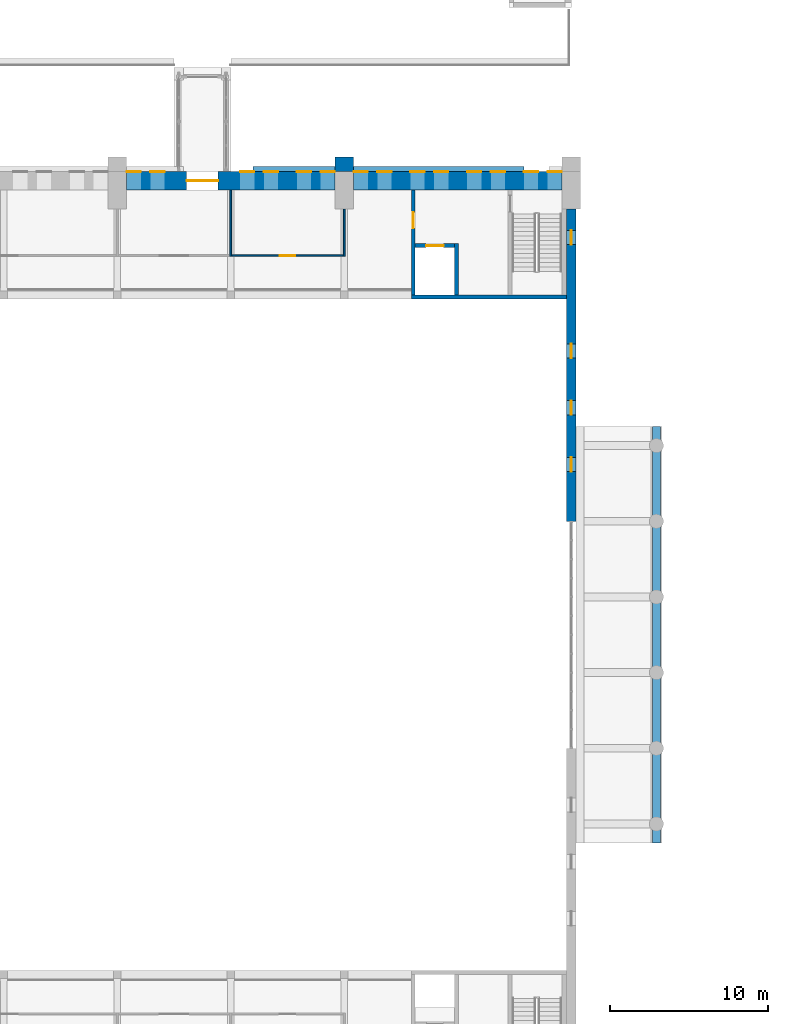
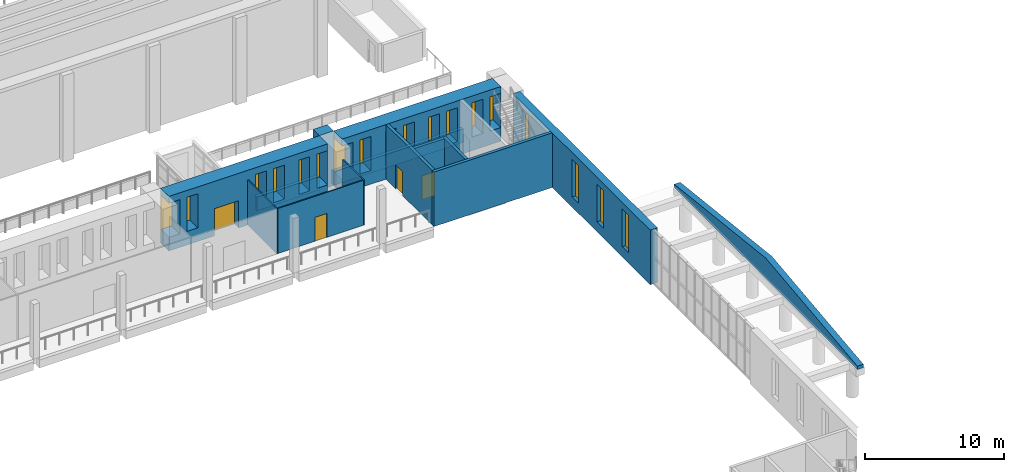
# One storey, part 94 of 131: 18 windows, 14 walls, 4 doors, 22 openings.
"""IFC4 building model written with IfcOpenShell, lengths in metres."""

from ifc_helpers import new_model, si_unit, direction, frame, frame_2d, origin, place, context, subcontext, project, spatial, polyline, rectangle, outline, extrude, material, layer, layer_set, type_object, element, fill, save


model = new_model("IFC4")

# Units and contexts
model_context = context("Model", 3, precision=1e-05, world=origin(), true_north=direction((0.0, 1.0)))
body_context = subcontext(model_context, "Body", "Model", "MODEL_VIEW")
ifc_project = project(units=[si_unit("LENGTHUNIT", "METRE"), si_unit("AREAUNIT", "SQUARE_METRE"), si_unit("VOLUMEUNIT", "CUBIC_METRE"), si_unit("PLANEANGLEUNIT", "RADIAN"), si_unit("MASSUNIT", "GRAM", prefix="KILO")], contexts=[model_context])

# Site, building, storey
site_placement = place(None, origin())
site = spatial("IfcSite", under=ifc_project, at=site_placement, CompositionType="ELEMENT")
building_placement = place(site_placement, origin())
building = spatial("IfcBuilding", under=site, at=building_placement, Name="Alderwick Market Hall", CompositionType="ELEMENT")
storey_placement = place(building_placement, frame((0.0, 0.0, 4.800048828125)))
storey = spatial("IfcBuildingStorey", under=building, at=storey_placement, Name="L00", CompositionType="ELEMENT", Elevation=4.800048828125)

# Walls
ifc_material_1 = material(Name="Cast stone 5000 psi (f'c 35 MPa), ASTM C1364", Category="masonry")
ifc_layer_1 = layer(ifc_material_1, 0.300048828125)
ifc_layer_set_1 = layer_set([ifc_layer_1], Name="Cast stone 5000 psi (f'c 35 MPa), ASTM C1364")
wall_type_1 = type_object("IfcWallType", Name="H Base course 300", PredefinedType="SOLIDWALL", material=ifc_layer_set_1)
wall_1_placement = place(storey_placement, frame((131.0, 108.75, 0.0), z_axis=(0.0, 0.0, 1.0), x_axis=(1.0, 0.0, 0.0)))
element("IfcWall", 1, at=wall_1_placement, inside=storey, type_object=wall_type_1, Name="Base course N6", PredefinedType="SOLIDWALL", context=body_context, shape_type="SweptSolid", body=[
    extrude(rectangle(XDim=5.199951171875, YDim=0.300048828125, at=frame_2d((2.60009765625, 0.0))), origin(), (0.0, 0.0, 1.0), 1.199951171875),
])
wall_2_placement = place(storey_placement, frame((137.39990234375, 108.75, 0.0), z_axis=(0.0, 0.0, 1.0), x_axis=(1.0, 0.0, 0.0)))
element("IfcWall", 2, at=wall_2_placement, inside=storey, type_object=wall_type_1, Name="Base course N7", PredefinedType="SOLIDWALL", context=body_context, shape_type="SweptSolid", body=[
    extrude(rectangle(XDim=10.800048828125, YDim=0.300048828125, at=frame_2d((5.39990234375, 0.0))), origin(), (0.0, 0.0, 1.0), 1.199951171875),
])
ifc_material_2 = material(Name="Face brick masonry, ASTM C216 grade SW (f'm 17 MPa)", Category="masonry")
ifc_layer_2 = layer(ifc_material_2, 0.89990234375)
ifc_layer_set_2 = layer_set([ifc_layer_2], Name="Face brick masonry, ASTM C216 grade SW (f'm 17 MPa)")
wall_type_2 = type_object("IfcWallType", Name="H Buttress pier 900", PredefinedType="SOLIDWALL", material=ifc_layer_set_2)
wall_3_placement = place(storey_placement, frame((136.199951171875, 109.050048828125, 0.0), z_axis=(0.0, 0.0, 1.0), x_axis=(1.0, 0.0, 0.0)))
element("IfcWall", 3, at=wall_3_placement, inside=storey, type_object=wall_type_2, Name="Buttress pier N7", PredefinedType="SOLIDWALL", context=body_context, shape_type="SweptSolid", body=[
    extrude(rectangle(XDim=1.199951171875, YDim=0.89990234375, at=frame_2d((0.60009765625, 0.0))), origin(), (0.0, 0.0, 1.0), 4.800048828125),
])
ifc_material_3 = material(Name="Concrete 5000 psi (f'c 35 MPa)", Category="concrete")
ifc_layer_3 = layer(ifc_material_3, 0.25)
ifc_layer_set_3 = layer_set([ifc_layer_3], Name="Concrete 5000 psi (f'c 35 MPa)")
wall_type_3 = type_object("IfcWallType", Name="H Core wall 250", PredefinedType="SOLIDWALL", material=ifc_layer_set_3)
wall_4_placement = place(storey_placement, frame((141.050048828125, 100.635009765625, 0.0), z_axis=(0.0, 0.0, 1.0), x_axis=(1.0, 0.0, 0.0)))
element("IfcWall", 4, at=wall_4_placement, inside=storey, type_object=wall_type_3, Name="Core wall H-NE", PredefinedType="SOLIDWALL", context=body_context, shape_type="SweptSolid", body=[
    extrude(rectangle(XDim=9.849853515625, YDim=0.25, at=frame_2d((4.9248046875, 0.0))), origin(), (0.0, 0.0, 1.0), 4.800048828125),
])

# Wall, opening, door
wall_5_placement = place(storey_placement, frame((141.175048828125, 100.760009765625, 0.0), z_axis=(0.0, 0.0, 1.0), x_axis=(0.0, 1.0, 0.0)))
wall_5 = element("IfcWall", 5, at=wall_5_placement, inside=storey, type_object=wall_type_3, Name="Core wall H-NE", PredefinedType="SOLIDWALL", context=body_context, shape_type="SweptSolid", body=[
    extrude(rectangle(XDim=6.639892578125, YDim=0.25, at=frame_2d((3.31982421875, 0.0))), origin(), (0.0, 0.0, 1.0), 4.800048828125),
])
opening_1_placement = place(wall_5_placement, frame((4.239990234375, 0.0, 0.0)))
opening_1 = element("IfcOpeningElement", 6, at=opening_1_placement, cuts=wall_5, Name="Opening H-D051", PredefinedType="OPENING", context=body_context, shape_type="SweptSolid", body=[
    extrude(rectangle(XDim=1.0, YDim=2.10009765625, at=frame_2d((0.5, 1.050048828125))), frame((0.0, 0.135009765625, 0.0), z_axis=(0.0, -1.0, 0.0), x_axis=(1.0, 0.0, 0.0)), (0.0, 0.0, 1.0), 0.27001953125),
])
ifc_material_4 = material(Name="Steel, fire-rated", Category="steel")
door_type_1 = type_object("IfcDoorType", Name="H Stair door FD90 1000x2100", OperationType="SINGLE_SWING_LEFT", PredefinedType="DOOR", material=ifc_material_4)
door_1_placement = place(opening_1_placement, origin())
door_1 = element("IfcDoor", 7, at=door_1_placement, inside=storey, type_object=door_type_1, Name="Door H-D051", OperationType="SINGLE_SWING_LEFT", OverallHeight=2.10009765625, OverallWidth=1.0, PredefinedType="DOOR", context=body_context, shape_type="SweptSolid", body=[
    extrude(rectangle(XDim=1.0, YDim=2.10009765625, at=frame_2d((0.5, 1.050048828125))), frame((0.0, 0.02490234375, 0.0), z_axis=(0.0, -1.0, 0.0), x_axis=(1.0, 0.0, 0.0)), (0.0, 0.0, 1.0), 0.050048828125),
])
fill(opening_1, door_1)

# Wall
wall_6_placement = place(storey_placement, frame((143.925048828125, 100.760009765625, 0.0), z_axis=(0.0, 0.0, 1.0), x_axis=(0.0, 1.0, 0.0)))
element("IfcWall", 8, at=wall_6_placement, inside=storey, type_object=wall_type_3, Name="Core wall H-NE", PredefinedType="SOLIDWALL", context=body_context, shape_type="SweptSolid", body=[
    extrude(rectangle(XDim=3.25, YDim=0.25, at=frame_2d((1.625, 0.0))), origin(), (0.0, 0.0, 1.0), 4.800048828125),
])

# Wall, opening, door
wall_7_placement = place(storey_placement, frame((141.300048828125, 103.885009765625, 0.0), z_axis=(0.0, 0.0, 1.0), x_axis=(1.0, 0.0, 0.0)))
wall_7 = element("IfcWall", 9, at=wall_7_placement, inside=storey, type_object=wall_type_3, Name="Core wall H-NE", PredefinedType="SOLIDWALL", context=body_context, shape_type="SweptSolid", body=[
    extrude(rectangle(XDim=2.5, YDim=0.25, at=frame_2d((1.25, 0.0))), origin(), (0.0, 0.0, 1.0), 4.800048828125),
])
opening_2_placement = place(wall_7_placement, frame((0.699951171875, 0.0, 0.0)))
opening_2 = element("IfcOpeningElement", 10, at=opening_2_placement, cuts=wall_7, Name="Opening H-LD05", PredefinedType="OPENING", context=body_context, shape_type="SweptSolid", body=[
    extrude(rectangle(XDim=1.10009765625, YDim=2.10009765625, at=frame_2d((0.550048828125, 1.050048828125))), frame((0.0, 0.135009765625, 0.0), z_axis=(0.0, -1.0, 0.0), x_axis=(1.0, 0.0, 0.0)), (0.0, 0.0, 1.0), 0.27001953125),
])
ifc_material_5 = material(Name="Stainless steel", Category="steel")
door_type_2 = type_object("IfcDoorType", Name="H Lift landing door 1100x2100", OperationType="SLIDING_TO_LEFT", PredefinedType="DOOR", material=ifc_material_5)
door_2_placement = place(opening_2_placement, origin())
door_2 = element("IfcDoor", 11, at=door_2_placement, inside=storey, type_object=door_type_2, Name="Landing door H-LD05", OperationType="SLIDING_TO_LEFT", OverallHeight=2.10009765625, OverallWidth=1.10009765625, PredefinedType="DOOR", context=body_context, shape_type="SweptSolid", body=[
    extrude(rectangle(XDim=1.10009765625, YDim=2.10009765625, at=frame_2d((0.550048828125, 1.050048828125))), frame((0.0, 0.02490234375, 0.0), z_axis=(0.0, -1.0, 0.0), x_axis=(1.0, 0.0, 0.0)), (0.0, 0.0, 1.0), 0.050048828125),
])
fill(opening_2, door_2)

# Wall, openings, door, windows
ifc_layer_4 = layer(ifc_material_3, 1.199951171875)
ifc_layer_set_4 = layer_set([ifc_layer_4], Name="Concrete 5000 psi (f'c 35 MPa)")
wall_type_4 = type_object("IfcWallType", Name="H Long wall 1200", PredefinedType="SOLIDWALL", material=ifc_layer_set_4)
wall_8_placement = place(storey_placement, frame((123.0, 108.0, 0.0), z_axis=(0.0, 0.0, 1.0), x_axis=(1.0, 0.0, 0.0)))
wall_8 = element("IfcWall", 12, at=wall_8_placement, inside=storey, type_object=wall_type_4, Name="Long wall N L00 6", PredefinedType="SOLIDWALL", context=body_context, shape_type="SweptSolid", body=[
    extrude(rectangle(XDim=13.199951171875, YDim=1.199951171875, at=frame_2d((6.60009765625, 0.0))), origin(), (0.0, 0.0, 1.0), 4.800048828125),
])
opening_3_placement = place(wall_8_placement, frame((3.800048828125, 0.0, 0.0)))
opening_3 = element("IfcOpeningElement", 13, at=opening_3_placement, cuts=wall_8, Name="Opening H-D013", PredefinedType="OPENING", context=body_context, shape_type="SweptSolid", body=[
    extrude(rectangle(XDim=2.0, YDim=2.39990234375, at=frame_2d((1.0, 1.199951171875))), frame((0.0, 0.60986328125, 0.0), z_axis=(0.0, -1.0, 0.0), x_axis=(1.0, 0.0, 0.0)), (0.0, 0.0, 1.0), 1.219970703125),
])
opening_4_placement = place(wall_8_placement, frame((0.0, 0.0, 1.199951171875)))
opening_4 = element("IfcOpeningElement", 14, at=opening_4_placement, cuts=wall_8, Name="Opening H-W147", PredefinedType="OPENING", context=body_context, shape_type="SweptSolid", body=[
    extrude(rectangle(XDim=0.89990234375, YDim=3.0, at=frame_2d((0.449951171875, 1.5))), frame((0.0, 0.60986328125, 0.0), z_axis=(0.0, -1.0, 0.0), x_axis=(1.0, 0.0, 0.0)), (0.0, 0.0, 1.0), 1.219970703125),
])
opening_5_placement = place(wall_8_placement, frame((1.5, 0.0, 1.199951171875)))
opening_5 = element("IfcOpeningElement", 15, at=opening_5_placement, cuts=wall_8, Name="Opening H-W148", PredefinedType="OPENING", context=body_context, shape_type="SweptSolid", body=[
    extrude(rectangle(XDim=0.89990234375, YDim=3.0, at=frame_2d((0.449951171875, 1.5))), frame((0.0, 0.60986328125, 0.0), z_axis=(0.0, -1.0, 0.0), x_axis=(1.0, 0.0, 0.0)), (0.0, 0.0, 1.0), 1.219970703125),
])
opening_6_placement = place(wall_8_placement, frame((7.199951171875, 0.0, 1.199951171875)))
opening_6 = element("IfcOpeningElement", 16, at=opening_6_placement, cuts=wall_8, Name="Opening H-W149", PredefinedType="OPENING", context=body_context, shape_type="SweptSolid", body=[
    extrude(rectangle(XDim=0.89990234375, YDim=3.0, at=frame_2d((0.449951171875, 1.5))), frame((0.0, 0.60986328125, 0.0), z_axis=(0.0, -1.0, 0.0), x_axis=(1.0, 0.0, 0.0)), (0.0, 0.0, 1.0), 1.219970703125),
])
opening_7_placement = place(wall_8_placement, frame((8.699951171875, 0.0, 1.199951171875)))
opening_7 = element("IfcOpeningElement", 17, at=opening_7_placement, cuts=wall_8, Name="Opening H-W150", PredefinedType="OPENING", context=body_context, shape_type="SweptSolid", body=[
    extrude(rectangle(XDim=0.89990234375, YDim=3.0, at=frame_2d((0.449951171875, 1.5))), frame((0.0, 0.60986328125, 0.0), z_axis=(0.0, -1.0, 0.0), x_axis=(1.0, 0.0, 0.0)), (0.0, 0.0, 1.0), 1.219970703125),
])
opening_8_placement = place(wall_8_placement, frame((10.800048828125, 0.0, 1.199951171875)))
opening_8 = element("IfcOpeningElement", 18, at=opening_8_placement, cuts=wall_8, Name="Opening H-W151", PredefinedType="OPENING", context=body_context, shape_type="SweptSolid", body=[
    extrude(rectangle(XDim=0.89990234375, YDim=3.0, at=frame_2d((0.449951171875, 1.5))), frame((0.0, 0.60986328125, 0.0), z_axis=(0.0, -1.0, 0.0), x_axis=(1.0, 0.0, 0.0)), (0.0, 0.0, 1.0), 1.219970703125),
])
opening_9_placement = place(wall_8_placement, frame((12.300048828125, 0.0, 1.199951171875)))
opening_9 = element("IfcOpeningElement", 19, at=opening_9_placement, cuts=wall_8, Name="Opening H-W152", PredefinedType="OPENING", context=body_context, shape_type="SweptSolid", body=[
    extrude(rectangle(XDim=0.89990234375, YDim=3.0, at=frame_2d((0.449951171875, 1.5))), frame((0.0, 0.60986328125, 0.0), z_axis=(0.0, -1.0, 0.0), x_axis=(1.0, 0.0, 0.0)), (0.0, 0.0, 1.0), 1.219970703125),
])
ifc_material_6 = material(Name="Bronze-finished aluminium and glass", Category="aluminium")
door_type_3 = type_object("IfcDoorType", Name="H Passage door 2000x2400", OperationType="DOUBLE_DOOR_SINGLE_SWING", PredefinedType="DOOR", material=ifc_material_6)
door_3_placement = place(opening_3_placement, origin())
door_3 = element("IfcDoor", 20, at=door_3_placement, inside=storey, type_object=door_type_3, Name="Door H-D013", OperationType="DOUBLE_DOOR_SINGLE_SWING", OverallHeight=2.39990234375, OverallWidth=2.0, PredefinedType="DOOR", context=body_context, shape_type="SweptSolid", body=[
    extrude(rectangle(XDim=2.0, YDim=2.39990234375, at=frame_2d((1.0, 1.199951171875))), frame((0.0, 0.02490234375, 0.0), z_axis=(0.0, -1.0, 0.0), x_axis=(1.0, 0.0, 0.0)), (0.0, 0.0, 1.0), 0.050048828125),
])
fill(opening_3, door_3)
ifc_material_7 = material(Name="Aluminium frame with insulated glass", Category="aluminium")
window_type_1 = type_object("IfcWindowType", Name="H Window 900x3000", PartitioningType="SINGLE_PANEL", PredefinedType="WINDOW", material=ifc_material_7)
window_1_placement = place(opening_4_placement, origin())
window_1 = element("IfcWindow", 21, at=window_1_placement, inside=storey, type_object=window_type_1, Name="Window H-W147", OverallHeight=3.0, OverallWidth=0.89990234375, PartitioningType="SINGLE_PANEL", PredefinedType="WINDOW", context=body_context, shape_type="SweptSolid", body=[
    extrude(rectangle(XDim=0.89990234375, YDim=3.0, at=frame_2d((0.449951171875, 1.5))), frame((0.0, 0.610107421875, 0.0), z_axis=(0.0, -1.0, 0.0), x_axis=(1.0, 0.0, 0.0)), (0.0, 0.0, 1.0), 0.06005859375),
])
fill(opening_4, window_1)
window_2_placement = place(opening_5_placement, origin())
window_2 = element("IfcWindow", 22, at=window_2_placement, inside=storey, type_object=window_type_1, Name="Window H-W148", OverallHeight=3.0, OverallWidth=0.89990234375, PartitioningType="SINGLE_PANEL", PredefinedType="WINDOW", context=body_context, shape_type="SweptSolid", body=[
    extrude(rectangle(XDim=0.89990234375, YDim=3.0, at=frame_2d((0.449951171875, 1.5))), frame((0.0, 0.610107421875, 0.0), z_axis=(0.0, -1.0, 0.0), x_axis=(1.0, 0.0, 0.0)), (0.0, 0.0, 1.0), 0.06005859375),
])
fill(opening_5, window_2)
window_3_placement = place(opening_6_placement, origin())
window_3 = element("IfcWindow", 23, at=window_3_placement, inside=storey, type_object=window_type_1, Name="Window H-W149", OverallHeight=3.0, OverallWidth=0.89990234375, PartitioningType="SINGLE_PANEL", PredefinedType="WINDOW", context=body_context, shape_type="SweptSolid", body=[
    extrude(rectangle(XDim=0.89990234375, YDim=3.0, at=frame_2d((0.449951171875, 1.5))), frame((0.0, 0.610107421875, 0.0), z_axis=(0.0, -1.0, 0.0), x_axis=(1.0, 0.0, 0.0)), (0.0, 0.0, 1.0), 0.06005859375),
])
fill(opening_6, window_3)
window_4_placement = place(opening_7_placement, origin())
window_4 = element("IfcWindow", 24, at=window_4_placement, inside=storey, type_object=window_type_1, Name="Window H-W150", OverallHeight=3.0, OverallWidth=0.89990234375, PartitioningType="SINGLE_PANEL", PredefinedType="WINDOW", context=body_context, shape_type="SweptSolid", body=[
    extrude(rectangle(XDim=0.89990234375, YDim=3.0, at=frame_2d((0.449951171875, 1.5))), frame((0.0, 0.610107421875, 0.0), z_axis=(0.0, -1.0, 0.0), x_axis=(1.0, 0.0, 0.0)), (0.0, 0.0, 1.0), 0.06005859375),
])
fill(opening_7, window_4)
window_5_placement = place(opening_8_placement, origin())
window_5 = element("IfcWindow", 25, at=window_5_placement, inside=storey, type_object=window_type_1, Name="Window H-W151", OverallHeight=3.0, OverallWidth=0.89990234375, PartitioningType="SINGLE_PANEL", PredefinedType="WINDOW", context=body_context, shape_type="SweptSolid", body=[
    extrude(rectangle(XDim=0.89990234375, YDim=3.0, at=frame_2d((0.449951171875, 1.5))), frame((0.0, 0.610107421875, 0.0), z_axis=(0.0, -1.0, 0.0), x_axis=(1.0, 0.0, 0.0)), (0.0, 0.0, 1.0), 0.06005859375),
])
fill(opening_8, window_5)
window_6_placement = place(opening_9_placement, origin())
window_6 = element("IfcWindow", 26, at=window_6_placement, inside=storey, type_object=window_type_1, Name="Window H-W152", OverallHeight=3.0, OverallWidth=0.89990234375, PartitioningType="SINGLE_PANEL", PredefinedType="WINDOW", context=body_context, shape_type="SweptSolid", body=[
    extrude(rectangle(XDim=0.89990234375, YDim=3.0, at=frame_2d((0.449951171875, 1.5))), frame((0.0, 0.610107421875, 0.0), z_axis=(0.0, -1.0, 0.0), x_axis=(1.0, 0.0, 0.0)), (0.0, 0.0, 1.0), 0.06005859375),
])
fill(opening_9, window_6)

# Wall, openings, windows
wall_9_placement = place(storey_placement, frame((137.39990234375, 108.0, 0.0), z_axis=(0.0, 0.0, 1.0), x_axis=(1.0, 0.0, 0.0)))
wall_9 = element("IfcWall", 27, at=wall_9_placement, inside=storey, type_object=wall_type_4, Name="Long wall N L00 7", PredefinedType="SOLIDWALL", context=body_context, shape_type="SweptSolid", body=[
    extrude(rectangle(XDim=13.2001953125, YDim=1.199951171875, at=frame_2d((6.60009765625, 0.0))), origin(), (0.0, 0.0, 1.0), 4.800048828125),
])
opening_10_placement = place(wall_9_placement, frame((0.0, 0.0, 1.199951171875)))
opening_10 = element("IfcOpeningElement", 28, at=opening_10_placement, cuts=wall_9, Name="Opening H-W153", PredefinedType="OPENING", context=body_context, shape_type="SweptSolid", body=[
    extrude(rectangle(XDim=0.89990234375, YDim=3.0, at=frame_2d((0.449951171875, 1.5))), frame((0.0, 0.60986328125, 0.0), z_axis=(0.0, -1.0, 0.0), x_axis=(1.0, 0.0, 0.0)), (0.0, 0.0, 1.0), 1.219970703125),
])
opening_11_placement = place(wall_9_placement, frame((1.5, 0.0, 1.199951171875)))
opening_11 = element("IfcOpeningElement", 29, at=opening_11_placement, cuts=wall_9, Name="Opening H-W154", PredefinedType="OPENING", context=body_context, shape_type="SweptSolid", body=[
    extrude(rectangle(XDim=0.89990234375, YDim=3.0, at=frame_2d((0.449951171875, 1.5))), frame((0.0, 0.60986328125, 0.0), z_axis=(0.0, -1.0, 0.0), x_axis=(1.0, 0.0, 0.0)), (0.0, 0.0, 1.0), 1.219970703125),
])
opening_12_placement = place(wall_9_placement, frame((3.60009765625, 0.0, 1.199951171875)))
opening_12 = element("IfcOpeningElement", 30, at=opening_12_placement, cuts=wall_9, Name="Opening H-W155", PredefinedType="OPENING", context=body_context, shape_type="SweptSolid", body=[
    extrude(rectangle(XDim=0.89990234375, YDim=3.0, at=frame_2d((0.449951171875, 1.5))), frame((0.0, 0.60986328125, 0.0), z_axis=(0.0, -1.0, 0.0), x_axis=(1.0, 0.0, 0.0)), (0.0, 0.0, 1.0), 1.219970703125),
])
opening_13_placement = place(wall_9_placement, frame((5.10009765625, 0.0, 1.199951171875)))
opening_13 = element("IfcOpeningElement", 31, at=opening_13_placement, cuts=wall_9, Name="Opening H-W156", PredefinedType="OPENING", context=body_context, shape_type="SweptSolid", body=[
    extrude(rectangle(XDim=0.89990234375, YDim=3.0, at=frame_2d((0.449951171875, 1.5))), frame((0.0, 0.60986328125, 0.0), z_axis=(0.0, -1.0, 0.0), x_axis=(1.0, 0.0, 0.0)), (0.0, 0.0, 1.0), 1.219970703125),
])
opening_14_placement = place(wall_9_placement, frame((7.199951171875, 0.0, 1.199951171875)))
opening_14 = element("IfcOpeningElement", 32, at=opening_14_placement, cuts=wall_9, Name="Opening H-W157", PredefinedType="OPENING", context=body_context, shape_type="SweptSolid", body=[
    extrude(rectangle(XDim=0.89990234375, YDim=3.0, at=frame_2d((0.449951171875, 1.5))), frame((0.0, 0.60986328125, 0.0), z_axis=(0.0, -1.0, 0.0), x_axis=(1.0, 0.0, 0.0)), (0.0, 0.0, 1.0), 1.219970703125),
])
opening_15_placement = place(wall_9_placement, frame((8.699951171875, 0.0, 1.199951171875)))
opening_15 = element("IfcOpeningElement", 33, at=opening_15_placement, cuts=wall_9, Name="Opening H-W158", PredefinedType="OPENING", context=body_context, shape_type="SweptSolid", body=[
    extrude(rectangle(XDim=0.89990234375, YDim=3.0, at=frame_2d((0.449951171875, 1.5))), frame((0.0, 0.60986328125, 0.0), z_axis=(0.0, -1.0, 0.0), x_axis=(1.0, 0.0, 0.0)), (0.0, 0.0, 1.0), 1.219970703125),
])
opening_16_placement = place(wall_9_placement, frame((10.800048828125, 0.0, 1.199951171875)))
opening_16 = element("IfcOpeningElement", 34, at=opening_16_placement, cuts=wall_9, Name="Opening H-W159", PredefinedType="OPENING", context=body_context, shape_type="SweptSolid", body=[
    extrude(rectangle(XDim=0.89990234375, YDim=3.0, at=frame_2d((0.449951171875, 1.5))), frame((0.0, 0.60986328125, 0.0), z_axis=(0.0, -1.0, 0.0), x_axis=(1.0, 0.0, 0.0)), (0.0, 0.0, 1.0), 1.219970703125),
])
opening_17_placement = place(wall_9_placement, frame((12.300048828125, 0.0, 1.199951171875)))
opening_17 = element("IfcOpeningElement", 35, at=opening_17_placement, cuts=wall_9, Name="Opening H-W160", PredefinedType="OPENING", context=body_context, shape_type="SweptSolid", body=[
    extrude(rectangle(XDim=0.89990234375, YDim=3.0, at=frame_2d((0.449951171875, 1.5))), frame((0.0, 0.60986328125, 0.0), z_axis=(0.0, -1.0, 0.0), x_axis=(1.0, 0.0, 0.0)), (0.0, 0.0, 1.0), 1.219970703125),
])
window_7_placement = place(opening_10_placement, origin())
window_7 = element("IfcWindow", 36, at=window_7_placement, inside=storey, type_object=window_type_1, Name="Window H-W153", OverallHeight=3.0, OverallWidth=0.89990234375, PartitioningType="SINGLE_PANEL", PredefinedType="WINDOW", context=body_context, shape_type="SweptSolid", body=[
    extrude(rectangle(XDim=0.89990234375, YDim=3.0, at=frame_2d((0.449951171875, 1.5))), frame((0.0, 0.610107421875, 0.0), z_axis=(0.0, -1.0, 0.0), x_axis=(1.0, 0.0, 0.0)), (0.0, 0.0, 1.0), 0.06005859375),
])
fill(opening_10, window_7)
window_8_placement = place(opening_11_placement, origin())
window_8 = element("IfcWindow", 37, at=window_8_placement, inside=storey, type_object=window_type_1, Name="Window H-W154", OverallHeight=3.0, OverallWidth=0.89990234375, PartitioningType="SINGLE_PANEL", PredefinedType="WINDOW", context=body_context, shape_type="SweptSolid", body=[
    extrude(rectangle(XDim=0.89990234375, YDim=3.0, at=frame_2d((0.449951171875, 1.5))), frame((0.0, 0.610107421875, 0.0), z_axis=(0.0, -1.0, 0.0), x_axis=(1.0, 0.0, 0.0)), (0.0, 0.0, 1.0), 0.06005859375),
])
fill(opening_11, window_8)
window_9_placement = place(opening_12_placement, origin())
window_9 = element("IfcWindow", 38, at=window_9_placement, inside=storey, type_object=window_type_1, Name="Window H-W155", OverallHeight=3.0, OverallWidth=0.89990234375, PartitioningType="SINGLE_PANEL", PredefinedType="WINDOW", context=body_context, shape_type="SweptSolid", body=[
    extrude(rectangle(XDim=0.89990234375, YDim=3.0, at=frame_2d((0.449951171875, 1.5))), frame((0.0, 0.610107421875, 0.0), z_axis=(0.0, -1.0, 0.0), x_axis=(1.0, 0.0, 0.0)), (0.0, 0.0, 1.0), 0.06005859375),
])
fill(opening_12, window_9)
window_10_placement = place(opening_13_placement, origin())
window_10 = element("IfcWindow", 39, at=window_10_placement, inside=storey, type_object=window_type_1, Name="Window H-W156", OverallHeight=3.0, OverallWidth=0.89990234375, PartitioningType="SINGLE_PANEL", PredefinedType="WINDOW", context=body_context, shape_type="SweptSolid", body=[
    extrude(rectangle(XDim=0.89990234375, YDim=3.0, at=frame_2d((0.449951171875, 1.5))), frame((0.0, 0.610107421875, 0.0), z_axis=(0.0, -1.0, 0.0), x_axis=(1.0, 0.0, 0.0)), (0.0, 0.0, 1.0), 0.06005859375),
])
fill(opening_13, window_10)
window_11_placement = place(opening_14_placement, origin())
window_11 = element("IfcWindow", 40, at=window_11_placement, inside=storey, type_object=window_type_1, Name="Window H-W157", OverallHeight=3.0, OverallWidth=0.89990234375, PartitioningType="SINGLE_PANEL", PredefinedType="WINDOW", context=body_context, shape_type="SweptSolid", body=[
    extrude(rectangle(XDim=0.89990234375, YDim=3.0, at=frame_2d((0.449951171875, 1.5))), frame((0.0, 0.610107421875, 0.0), z_axis=(0.0, -1.0, 0.0), x_axis=(1.0, 0.0, 0.0)), (0.0, 0.0, 1.0), 0.06005859375),
])
fill(opening_14, window_11)
window_12_placement = place(opening_15_placement, origin())
window_12 = element("IfcWindow", 41, at=window_12_placement, inside=storey, type_object=window_type_1, Name="Window H-W158", OverallHeight=3.0, OverallWidth=0.89990234375, PartitioningType="SINGLE_PANEL", PredefinedType="WINDOW", context=body_context, shape_type="SweptSolid", body=[
    extrude(rectangle(XDim=0.89990234375, YDim=3.0, at=frame_2d((0.449951171875, 1.5))), frame((0.0, 0.610107421875, 0.0), z_axis=(0.0, -1.0, 0.0), x_axis=(1.0, 0.0, 0.0)), (0.0, 0.0, 1.0), 0.06005859375),
])
fill(opening_15, window_12)
window_13_placement = place(opening_16_placement, origin())
window_13 = element("IfcWindow", 42, at=window_13_placement, inside=storey, type_object=window_type_1, Name="Window H-W159", OverallHeight=3.0, OverallWidth=0.89990234375, PartitioningType="SINGLE_PANEL", PredefinedType="WINDOW", context=body_context, shape_type="SweptSolid", body=[
    extrude(rectangle(XDim=0.89990234375, YDim=3.0, at=frame_2d((0.449951171875, 1.5))), frame((0.0, 0.610107421875, 0.0), z_axis=(0.0, -1.0, 0.0), x_axis=(1.0, 0.0, 0.0)), (0.0, 0.0, 1.0), 0.06005859375),
])
fill(opening_16, window_13)
window_14_placement = place(opening_17_placement, origin())
window_14 = element("IfcWindow", 43, at=window_14_placement, inside=storey, type_object=window_type_1, Name="Window H-W160", OverallHeight=3.0, OverallWidth=0.89990234375, PartitioningType="SINGLE_PANEL", PredefinedType="WINDOW", context=body_context, shape_type="SweptSolid", body=[
    extrude(rectangle(XDim=0.89990234375, YDim=3.0, at=frame_2d((0.449951171875, 1.5))), frame((0.0, 0.610107421875, 0.0), z_axis=(0.0, -1.0, 0.0), x_axis=(1.0, 0.0, 0.0)), (0.0, 0.0, 1.0), 0.06005859375),
])
fill(opening_17, window_14)

# Walls
ifc_material_8 = material(Name="Gypsum board partition")
ifc_layer_5 = layer(ifc_material_8, 0.10009765625)
ifc_layer_set_5 = layer_set([ifc_layer_5], Name="Gypsum board partition")
wall_type_5 = type_object("IfcWallType", Name="H Partition 100", PredefinedType="PARTITIONING", material=ifc_layer_set_5)
wall_10_placement = place(storey_placement, frame((129.60009765625, 107.39990234375, 0.0), z_axis=(0.0, 0.0, 1.0), x_axis=(0.0, -1.0, 0.0)))
element("IfcWall", 44, at=wall_10_placement, inside=storey, type_object=wall_type_5, Name="Partition", PredefinedType="PARTITIONING", context=body_context, shape_type="SweptSolid", body=[
    extrude(rectangle(XDim=4.199951171875, YDim=0.10009765625, at=frame_2d((2.10009765625, 0.0))), origin(), (0.0, 0.0, 1.0), 3.949951171875),
])
wall_11_placement = place(storey_placement, frame((136.800048828125, 106.199951171875, 0.0), z_axis=(0.0, 0.0, 1.0), x_axis=(0.0, -1.0, 0.0)))
element("IfcWall", 45, at=wall_11_placement, inside=storey, type_object=wall_type_5, Name="Partition", PredefinedType="PARTITIONING", context=body_context, shape_type="SweptSolid", body=[
    extrude(rectangle(XDim=3.0, YDim=0.10009765625, at=frame_2d((1.5, 0.0))), origin(), (0.0, 0.0, 1.0), 3.949951171875),
])

# Wall, opening, door
wall_12_placement = place(storey_placement, frame((129.64990234375, 103.25, 0.0), z_axis=(0.0, 0.0, 1.0), x_axis=(1.0, 0.0, 0.0)))
wall_12 = element("IfcWall", 46, at=wall_12_placement, inside=storey, type_object=wall_type_5, Name="Partition", PredefinedType="PARTITIONING", context=body_context, shape_type="SweptSolid", body=[
    extrude(rectangle(XDim=7.10009765625, YDim=0.10009765625, at=frame_2d((3.550048828125, 0.0))), origin(), (0.0, 0.0, 1.0), 3.949951171875),
])
opening_18_placement = place(wall_12_placement, frame((3.050048828125, 0.0, 0.0)))
opening_18 = element("IfcOpeningElement", 47, at=opening_18_placement, cuts=wall_12, Name="Opening H-D077", PredefinedType="OPENING", context=body_context, shape_type="SweptSolid", body=[
    extrude(rectangle(XDim=1.0, YDim=2.10009765625, at=frame_2d((0.5, 1.050048828125))), frame((0.0, 0.06005859375, 0.0), z_axis=(0.0, -1.0, 0.0), x_axis=(1.0, 0.0, 0.0)), (0.0, 0.0, 1.0), 0.1201171875),
])
ifc_material_9 = material(Name="Timber, solid core", Category="wood")
door_type_4 = type_object("IfcDoorType", Name="H Room door 1000x2100", OperationType="SINGLE_SWING_LEFT", PredefinedType="DOOR", material=ifc_material_9)
door_4_placement = place(opening_18_placement, origin())
door_4 = element("IfcDoor", 48, at=door_4_placement, inside=storey, type_object=door_type_4, Name="Door H-D077", OperationType="SINGLE_SWING_LEFT", OverallHeight=2.10009765625, OverallWidth=1.0, PredefinedType="DOOR", context=body_context, shape_type="SweptSolid", body=[
    extrude(rectangle(XDim=1.0, YDim=2.10009765625, at=frame_2d((0.5, 1.050048828125))), frame((0.0, 0.02490234375, 0.0), z_axis=(0.0, -1.0, 0.0), x_axis=(1.0, 0.0, 0.0)), (0.0, 0.0, 1.0), 0.050048828125),
])
fill(opening_18, door_4)

# Wall, openings, windows
ifc_layer_6 = layer(ifc_material_3, 0.60009765625)
ifc_layer_set_6 = layer_set([ifc_layer_6], Name="Concrete 5000 psi (f'c 35 MPa)")
wall_type_6 = type_object("IfcWallType", Name="R Gable Wall 600", PredefinedType="SOLIDWALL", material=ifc_layer_set_6)
wall_13_placement = place(storey_placement, frame((151.199951171875, 86.39990234375, 0.0), z_axis=(0.0, 0.0, 1.0), x_axis=(0.0, 1.0, 0.0)))
wall_13 = element("IfcWall", 49, at=wall_13_placement, inside=storey, type_object=wall_type_6, Name="East gable wall N L00", PredefinedType="SOLIDWALL", context=body_context, shape_type="SweptSolid", body=[
    extrude(rectangle(XDim=19.800048828125, YDim=0.60009765625, at=frame_2d((9.89990234375, 0.0))), origin(), (0.0, 0.0, 1.0), 4.800048828125),
])
opening_19_placement = place(wall_13_placement, frame((3.14990234375, 0.0, 0.89990234375)))
opening_19 = element("IfcOpeningElement", 50, at=opening_19_placement, cuts=wall_13, Name="Opening R-W059", PredefinedType="OPENING", context=body_context, shape_type="SweptSolid", body=[
    extrude(rectangle(XDim=0.89990234375, YDim=3.300048828125, at=frame_2d((0.449951171875, 1.64990234375))), frame((0.0, 0.31005859375, 0.0), z_axis=(0.0, -1.0, 0.0), x_axis=(1.0, 0.0, 0.0)), (0.0, 0.0, 1.0), 0.6201171875),
])
opening_20_placement = place(wall_13_placement, frame((6.75, 0.0, 0.89990234375)))
opening_20 = element("IfcOpeningElement", 51, at=opening_20_placement, cuts=wall_13, Name="Opening R-W060", PredefinedType="OPENING", context=body_context, shape_type="SweptSolid", body=[
    extrude(rectangle(XDim=0.89990234375, YDim=3.300048828125, at=frame_2d((0.449951171875, 1.64990234375))), frame((0.0, 0.31005859375, 0.0), z_axis=(0.0, -1.0, 0.0), x_axis=(1.0, 0.0, 0.0)), (0.0, 0.0, 1.0), 0.6201171875),
])
opening_21_placement = place(wall_13_placement, frame((10.35009765625, 0.0, 0.89990234375)))
opening_21 = element("IfcOpeningElement", 52, at=opening_21_placement, cuts=wall_13, Name="Opening R-W061", PredefinedType="OPENING", context=body_context, shape_type="SweptSolid", body=[
    extrude(rectangle(XDim=0.89990234375, YDim=3.300048828125, at=frame_2d((0.449951171875, 1.64990234375))), frame((0.0, 0.31005859375, 0.0), z_axis=(0.0, -1.0, 0.0), x_axis=(1.0, 0.0, 0.0)), (0.0, 0.0, 1.0), 0.6201171875),
])
opening_22_placement = place(wall_13_placement, frame((17.550048828125, 0.0, 0.89990234375)))
opening_22 = element("IfcOpeningElement", 53, at=opening_22_placement, cuts=wall_13, Name="Opening R-W062", PredefinedType="OPENING", context=body_context, shape_type="SweptSolid", body=[
    extrude(rectangle(XDim=0.89990234375, YDim=3.300048828125, at=frame_2d((0.449951171875, 1.64990234375))), frame((0.0, 0.31005859375, 0.0), z_axis=(0.0, -1.0, 0.0), x_axis=(1.0, 0.0, 0.0)), (0.0, 0.0, 1.0), 0.6201171875),
])
ifc_material_10 = material(Name="Aluminium", Category="aluminium")
window_type_2 = type_object("IfcWindowType", Name="R Gable Window 900x3300", PartitioningType="SINGLE_PANEL", PredefinedType="WINDOW", material=ifc_material_10)
window_15_placement = place(opening_19_placement, origin())
window_15 = element("IfcWindow", 54, at=window_15_placement, inside=storey, type_object=window_type_2, Name="Gable window R-W059", OverallHeight=3.300048828125, OverallWidth=0.89990234375, PartitioningType="SINGLE_PANEL", PredefinedType="WINDOW", context=body_context, shape_type="SweptSolid", body=[
    extrude(rectangle(XDim=0.89990234375, YDim=3.300048828125, at=frame_2d((0.449951171875, 1.64990234375))), frame((0.0, 0.030029296875, 0.0), z_axis=(0.0, -1.0, 0.0), x_axis=(1.0, 0.0, 0.0)), (0.0, 0.0, 1.0), 0.06005859375),
])
fill(opening_19, window_15)
window_16_placement = place(opening_20_placement, origin())
window_16 = element("IfcWindow", 55, at=window_16_placement, inside=storey, type_object=window_type_2, Name="Gable window R-W060", OverallHeight=3.300048828125, OverallWidth=0.89990234375, PartitioningType="SINGLE_PANEL", PredefinedType="WINDOW", context=body_context, shape_type="SweptSolid", body=[
    extrude(rectangle(XDim=0.89990234375, YDim=3.300048828125, at=frame_2d((0.449951171875, 1.64990234375))), frame((0.0, 0.030029296875, 0.0), z_axis=(0.0, -1.0, 0.0), x_axis=(1.0, 0.0, 0.0)), (0.0, 0.0, 1.0), 0.06005859375),
])
fill(opening_20, window_16)
window_17_placement = place(opening_21_placement, origin())
window_17 = element("IfcWindow", 56, at=window_17_placement, inside=storey, type_object=window_type_2, Name="Gable window R-W061", OverallHeight=3.300048828125, OverallWidth=0.89990234375, PartitioningType="SINGLE_PANEL", PredefinedType="WINDOW", context=body_context, shape_type="SweptSolid", body=[
    extrude(rectangle(XDim=0.89990234375, YDim=3.300048828125, at=frame_2d((0.449951171875, 1.64990234375))), frame((0.0, 0.030029296875, 0.0), z_axis=(0.0, -1.0, 0.0), x_axis=(1.0, 0.0, 0.0)), (0.0, 0.0, 1.0), 0.06005859375),
])
fill(opening_21, window_17)
window_18_placement = place(opening_22_placement, origin())
window_18 = element("IfcWindow", 57, at=window_18_placement, inside=storey, type_object=window_type_2, Name="Gable window R-W062", OverallHeight=3.300048828125, OverallWidth=0.89990234375, PartitioningType="SINGLE_PANEL", PredefinedType="WINDOW", context=body_context, shape_type="SweptSolid", body=[
    extrude(rectangle(XDim=0.89990234375, YDim=3.300048828125, at=frame_2d((0.449951171875, 1.64990234375))), frame((0.0, 0.030029296875, 0.0), z_axis=(0.0, -1.0, 0.0), x_axis=(1.0, 0.0, 0.0)), (0.0, 0.0, 1.0), 0.06005859375),
])
fill(opening_22, window_18)

# Wall
ifc_layer_7 = layer(ifc_material_3, 0.5)
ifc_layer_set_7 = layer_set([ifc_layer_7], Name="Concrete 5000 psi (f'c 35 MPa)")
wall_type_7 = type_object("IfcWallType", Name="R Portico Pediment 500", PredefinedType="SOLIDWALL", material=ifc_layer_set_7)
wall_14_placement = place(storey_placement, frame((156.60009765625, 66.0, 3.0), z_axis=(0.0, 0.0, 1.0), x_axis=(0.0, 1.0, 0.0)))
element("IfcWall", 58, at=wall_14_placement, inside=storey, type_object=wall_type_7, Name="Portico pediment", PredefinedType="SOLIDWALL", context=body_context, shape_type="SweptSolid", body=[
    extrude(outline(polyline([(0.0, 0.0), (26.39990234375, 0.0), (26.39990234375, 0.300048828125), (13.199951171875, 1.800048828125), (0.0, 0.300048828125), (0.0, 0.0)])), frame((0.0, 0.25, 0.0), z_axis=(0.0, -1.0, 0.0), x_axis=(1.0, 0.0, 0.0)), (0.0, 0.0, 1.0), 0.5),
])

save(model, "model.ifc")
